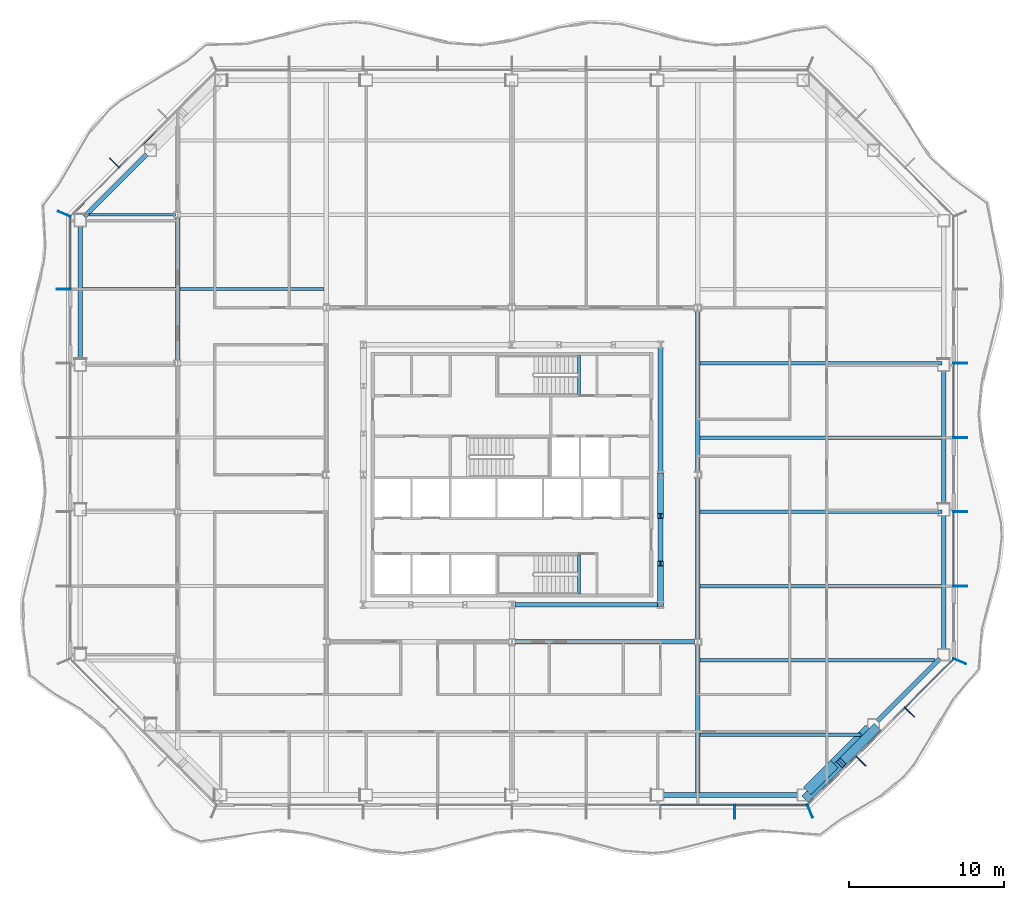
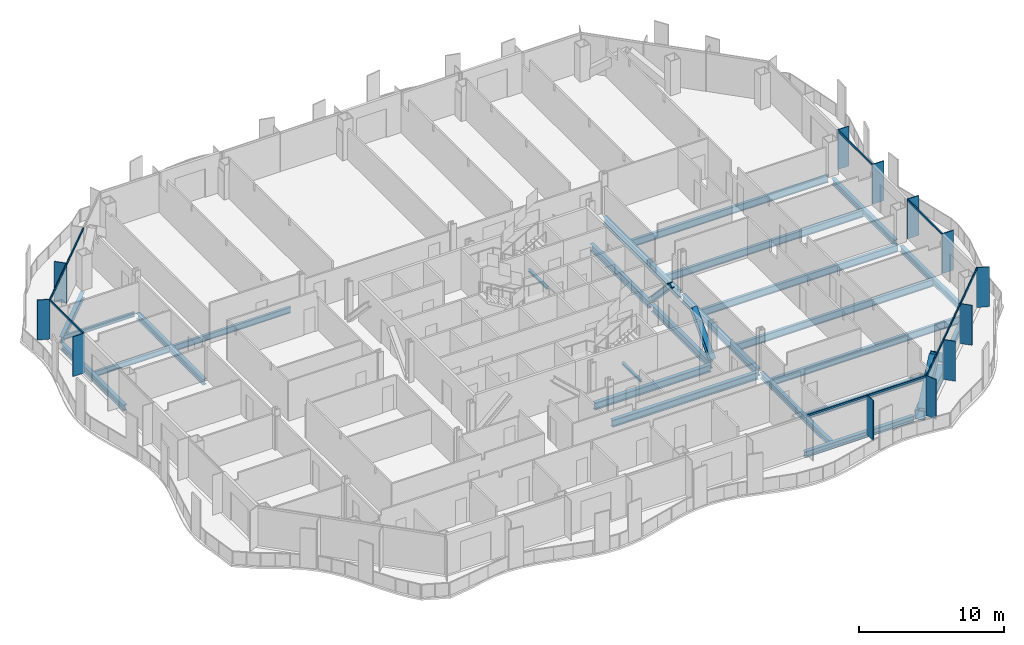
# One storey, part 4 of 23: 27 beams, 26 members, 5 elements without a shape of their own.
"""IFC4 building model written with IfcOpenShell, lengths in metres."""

from ifc_helpers import new_model, si_unit, direction, frame, origin, origin_2d, place, context, subcontext, project, spatial, rectangle, hollow_rectangle, i_section, extrude, material, material_profile, profile_set, type_object, element, aggregate, save


model = new_model("IFC4")

# Units and contexts
model_context = context("Model", 3, precision=1e-05, world=origin(), true_north=direction((0.0, 1.0)))
body_context = subcontext(model_context, "Body", "Model", "MODEL_VIEW")
ifc_project = project(units=[si_unit("LENGTHUNIT", "METRE"), si_unit("AREAUNIT", "SQUARE_METRE"), si_unit("VOLUMEUNIT", "CUBIC_METRE"), si_unit("PLANEANGLEUNIT", "RADIAN"), si_unit("MASSUNIT", "GRAM", prefix="KILO")], contexts=[model_context])

# Site, building, storey
site_placement = place(None, origin())
site = spatial("IfcSite", under=ifc_project, at=site_placement, CompositionType="ELEMENT")
building_placement = place(site_placement, origin())
building = spatial("IfcBuilding", under=site, at=building_placement, Name="Cairn Pilgrim Tower", CompositionType="ELEMENT")
storey_placement = place(building_placement, frame((0.0, 0.0, 115.800048828125)))
storey = spatial("IfcBuildingStorey", under=building, at=storey_placement, Name="L28", CompositionType="ELEMENT", Elevation=115.800048828125)

# Members
ifc_material_1 = material(Name="Structural steel S460M", Category="steel")
ifc_material_profile_1 = material_profile(ifc_material_1, hollow_rectangle(XDim=0.60009765625, YDim=0.60009765625, WallThickness=0.034912109375, at=origin_2d()), Name="BOX 600x600x35")
ifc_profile_set_1 = profile_set([ifc_material_profile_1], Name="Structural steel S460M")
member_type_1 = type_object("IfcMemberType", Name="BOX 600x600x35 BRACE", PredefinedType="BRACE", material=ifc_profile_set_1)
member_1_placement = place(storey_placement, frame((26.271240234375, -18.430908203125, 0.14990234375), z_axis=(0.558054672489, 0.558116227162, 0.614069425628), x_axis=(-0.707145775687, 0.707067784535, 0.0)))
element("IfcMember", 1, at=member_1_placement, inside=storey, type_object=member_type_1, Name="XB-SE1-SE2-1", PredefinedType="BRACE", context=body_context, shape_type="SweptSolid", body=[
    extrude(hollow_rectangle(XDim=0.60009765625, YDim=0.60009765625, WallThickness=0.034912109375, at=origin_2d()), origin(), (0.0, 0.0, 1.0), 3.96630859375),
])
member_2_placement = place(storey_placement, frame((30.6943359375, -14.007568359375, 0.14990234375), z_axis=(-0.558073844199, -0.558073844199, 0.6140905217), x_axis=(0.707106781187, -0.707106781187, 0.0)))
element("IfcMember", 2, at=member_2_placement, inside=storey, type_object=member_type_1, Name="XB-SE1-SE2-2", PredefinedType="BRACE", context=body_context, shape_type="SweptSolid", body=[
    extrude(hollow_rectangle(XDim=0.60009765625, YDim=0.60009765625, WallThickness=0.034912109375, at=origin_2d()), origin(), (0.0, 0.0, 1.0), 3.966064453125),
])

# Beams
ifc_material_2 = material(Name="Structural steel S355J2", Category="steel")
ifc_material_profile_2 = material_profile(ifc_material_2, hollow_rectangle(XDim=0.699951171875, YDim=0.800048828125, WallThickness=0.0400390625, at=origin_2d()), Name="BOX 700x800x40")
ifc_profile_set_2 = profile_set([ifc_material_profile_2], Name="Structural steel S355J2")
beam_type_1 = type_object("IfcBeamType", Name="BOX 700x800x40 RING GIRDER", PredefinedType="SPANDREL", material=ifc_profile_set_2)
beam_1_placement = place(storey_placement, frame((26.28173828125, -18.04541015625, -0.550048828125), z_axis=(0.707106781187, 0.707106781187, 0.0), x_axis=(-0.707106781187, 0.707106781187, 0.0)))
element("IfcBeam", 3, at=beam_1_placement, inside=storey, type_object=beam_type_1, Name="RG1-SE1-SE2-1", PredefinedType="SPANDREL", context=body_context, shape_type="SweptSolid", body=[
    extrude(hollow_rectangle(XDim=0.699951171875, YDim=0.800048828125, WallThickness=0.0400390625, at=origin_2d()), origin(), (0.0, 0.0, 1.0), 2.469970703125),
])
beam_2_placement = place(storey_placement, frame((28.0283203125, -16.298828125, -0.550048828125), z_axis=(0.707144627777, 0.70706893257, 0.0), x_axis=(-0.70706893257, 0.707144627777, 0.0)))
element("IfcBeam", 4, at=beam_2_placement, inside=storey, type_object=beam_type_1, Name="RG1-SE1-SE2-2", PredefinedType="SPANDREL", context=body_context, shape_type="SweptSolid", body=[
    extrude(hollow_rectangle(XDim=0.699951171875, YDim=0.800048828125, WallThickness=0.0400390625, at=origin_2d()), origin(), (0.0, 0.0, 1.0), 3.225341796875),
])

# Curtain wall, member
ifc_material_3 = material(Name="Aluminium alloy 6063-T6 bronze anodised with Bronze tinted laminated low-E glass 8+16+8.8", Category="aluminium")
curtain_wall_type_1 = type_object("IfcCurtainWallType", Name="TOWER STICK CURTAIN WALL NS", PredefinedType="NOTDEFINED", material=ifc_material_3)
curtain_wall_1_placement = place(storey_placement, origin())
curtain_wall_1 = element("IfcCurtainWall", 5, at=curtain_wall_1_placement, inside=storey, type_object=curtain_wall_type_1, Name="Tower Stick Curtain Wall Ns S", PredefinedType="NOTDEFINED")
ifc_material_4 = material(Name="Aluminium alloy 6063-T6 bronze anodised", Category="aluminium")
ifc_material_profile_3 = material_profile(ifc_material_4, rectangle(XDim=0.89990234375, YDim=0.06005859375, at=origin_2d()), Name="FIN MULLION 60x900 BRONZE")
ifc_profile_set_3 = profile_set([ifc_material_profile_3], Name="Aluminium alloy 6063-T6 bronze anodised")
member_type_2 = type_object("IfcMemberType", Name="FIN MULLION 60x900 BRONZE", PredefinedType="MULLION", material=ifc_profile_set_3)
member_3_placement = place(storey_placement, frame((21.60009765625, -19.3701171875, 0.0), z_axis=(0.0, 0.0, 1.0), x_axis=(0.0, -1.0, 0.0)))
member_3 = element("IfcMember", 6, at=member_3_placement, type_object=member_type_2, Name="Fin mullion S8", PredefinedType="MULLION", context=body_context, shape_type="SweptSolid", body=[
    extrude(rectangle(XDim=0.89990234375, YDim=0.06005859375, at=origin_2d()), origin(), (0.0, 0.0, 1.0), 3.349853515625),
])

# Curtain wall, members
curtain_wall_type_2 = type_object("IfcCurtainWallType", Name="CHAMFER CORNER CURTAIN WALL", PredefinedType="NOTDEFINED", material=ifc_material_3)
curtain_wall_2_placement = place(storey_placement, origin())
curtain_wall_2 = element("IfcCurtainWall", 7, at=curtain_wall_2_placement, inside=storey, type_object=curtain_wall_type_2, Name="Chamfer Corner Curtain Wall SE", PredefinedType="NOTDEFINED")
member_4_placement = place(storey_placement, frame((26.457275390625, -19.338134765625, 0.0), z_axis=(0.0, 0.0, 1.0), x_axis=(0.382683432365, -0.923879532511, 0.0)))
member_4 = element("IfcMember", 8, at=member_4_placement, type_object=member_type_2, Name="Fin mullion SE1", PredefinedType="MULLION", context=body_context, shape_type="SweptSolid", body=[
    extrude(rectangle(XDim=0.89990234375, YDim=0.06005859375, at=origin_2d()), origin(), (0.0, 0.0, 1.0), 3.349853515625),
])
member_5_placement = place(storey_placement, frame((29.74462890625, -16.095703125, 0.0), z_axis=(0.0, 0.0, 1.0), x_axis=(0.707106781187, -0.707106781187, 0.0)))
member_5 = element("IfcMember", 9, at=member_5_placement, type_object=member_type_2, Name="Fin mullion SE2", PredefinedType="MULLION", context=body_context, shape_type="SweptSolid", body=[
    extrude(rectangle(XDim=0.89990234375, YDim=0.06005859375, at=origin_2d()), origin(), (0.0, 0.0, 1.0), 3.349853515625),
])
member_6_placement = place(storey_placement, frame((32.895751953125, -12.944580078125, 0.0), z_axis=(0.0, 0.0, 1.0), x_axis=(0.707106781187, -0.707106781187, 0.0)))
member_6 = element("IfcMember", 10, at=member_6_placement, type_object=member_type_2, Name="Fin mullion SE3", PredefinedType="MULLION", context=body_context, shape_type="SweptSolid", body=[
    extrude(rectangle(XDim=0.89990234375, YDim=0.06005859375, at=origin_2d()), origin(), (0.0, 0.0, 1.0), 3.349853515625),
])

curtain_wall_type_3 = type_object("IfcCurtainWallType", Name="TOWER STICK CURTAIN WALL EW", PredefinedType="NOTDEFINED", material=ifc_material_3)
curtain_wall_3_placement = place(storey_placement, origin())
curtain_wall_3 = element("IfcCurtainWall", 11, at=curtain_wall_3_placement, inside=storey, type_object=curtain_wall_type_3, Name="Tower Stick Curtain Wall Ew E", PredefinedType="NOTDEFINED")
member_7_placement = place(storey_placement, frame((36.137939453125, -9.6572265625, 0.0), z_axis=(0.0, 0.0, 1.0), x_axis=(0.923879532511, -0.382683432365, 0.0)))
member_7 = element("IfcMember", 12, at=member_7_placement, type_object=member_type_2, Name="Fin mullion E1", PredefinedType="MULLION", context=body_context, shape_type="SweptSolid", body=[
    extrude(rectangle(XDim=0.89990234375, YDim=0.06005859375, at=origin_2d()), origin(), (0.0, 0.0, 1.0), 3.349853515625),
])
member_8_placement = place(storey_placement, frame((36.169921875, -4.800048828125, 0.0), z_axis=(0.0, 0.0, 1.0), x_axis=(1.0, 0.0, 0.0)))
member_8 = element("IfcMember", 13, at=member_8_placement, type_object=member_type_2, Name="Fin mullion E2", PredefinedType="MULLION", context=body_context, shape_type="SweptSolid", body=[
    extrude(rectangle(XDim=0.89990234375, YDim=0.06005859375, at=origin_2d()), origin(), (0.0, 0.0, 1.0), 3.349853515625),
])
member_9_placement = place(storey_placement, frame((36.169921875, 0.0, 0.0), z_axis=(0.0, 0.0, 1.0), x_axis=(1.0, 0.0, 0.0)))
member_9 = element("IfcMember", 14, at=member_9_placement, type_object=member_type_2, Name="Fin mullion E3", PredefinedType="MULLION", context=body_context, shape_type="SweptSolid", body=[
    extrude(rectangle(XDim=0.89990234375, YDim=0.06005859375, at=origin_2d()), origin(), (0.0, 0.0, 1.0), 3.349853515625),
])
member_10_placement = place(storey_placement, frame((36.169921875, 4.800048828125, 0.0), z_axis=(0.0, 0.0, 1.0), x_axis=(1.0, 0.0, 0.0)))
member_10 = element("IfcMember", 15, at=member_10_placement, type_object=member_type_2, Name="Fin mullion E4", PredefinedType="MULLION", context=body_context, shape_type="SweptSolid", body=[
    extrude(rectangle(XDim=0.89990234375, YDim=0.06005859375, at=origin_2d()), origin(), (0.0, 0.0, 1.0), 3.349853515625),
])
member_11_placement = place(storey_placement, frame((36.169921875, 9.60009765625, 0.0), z_axis=(0.0, 0.0, 1.0), x_axis=(1.0, 0.0, 0.0)))
member_11 = element("IfcMember", 16, at=member_11_placement, type_object=member_type_2, Name="Fin mullion E5", PredefinedType="MULLION", context=body_context, shape_type="SweptSolid", body=[
    extrude(rectangle(XDim=0.89990234375, YDim=0.06005859375, at=origin_2d()), origin(), (0.0, 0.0, 1.0), 3.349853515625),
])

# Curtain wall, member
curtain_wall_4_placement = place(storey_placement, origin())
curtain_wall_4 = element("IfcCurtainWall", 17, at=curtain_wall_4_placement, inside=storey, type_object=curtain_wall_type_2, Name="Chamfer Corner Curtain Wall NW", PredefinedType="NOTDEFINED")
member_12_placement = place(storey_placement, frame((-18.495849609375, 22.544677734375, 0.0), z_axis=(0.0, 0.0, 1.0), x_axis=(-0.707106781187, 0.707106781187, 0.0)))
member_12 = element("IfcMember", 18, at=member_12_placement, type_object=member_type_2, Name="Fin mullion NW3", PredefinedType="MULLION", context=body_context, shape_type="SweptSolid", body=[
    extrude(rectangle(XDim=0.89990234375, YDim=0.06005859375, at=origin_2d()), origin(), (0.0, 0.0, 1.0), 3.349853515625),
])

# Curtain wall, members
curtain_wall_5_placement = place(storey_placement, origin())
curtain_wall_5 = element("IfcCurtainWall", 19, at=curtain_wall_5_placement, inside=storey, type_object=curtain_wall_type_3, Name="Tower Stick Curtain Wall Ew W", PredefinedType="NOTDEFINED")
member_13_placement = place(storey_placement, frame((-21.738037109375, 19.257080078125, 0.0), z_axis=(0.0, 0.0, 1.0), x_axis=(-0.923879532511, 0.382683432365, 0.0)))
member_13 = element("IfcMember", 20, at=member_13_placement, type_object=member_type_2, Name="Fin mullion W1", PredefinedType="MULLION", context=body_context, shape_type="SweptSolid", body=[
    extrude(rectangle(XDim=0.89990234375, YDim=0.06005859375, at=origin_2d()), origin(), (0.0, 0.0, 1.0), 3.349853515625),
])
member_14_placement = place(storey_placement, frame((-21.77001953125, 14.39990234375, 0.0), z_axis=(0.0, 0.0, 1.0), x_axis=(-1.0, 0.0, 0.0)))
member_14 = element("IfcMember", 21, at=member_14_placement, type_object=member_type_2, Name="Fin mullion W2", PredefinedType="MULLION", context=body_context, shape_type="SweptSolid", body=[
    extrude(rectangle(XDim=0.89990234375, YDim=0.06005859375, at=origin_2d()), origin(), (0.0, 0.0, 1.0), 3.349853515625),
])

# Members
ifc_material_profile_4 = material_profile(ifc_material_1, i_section(OverallWidth=0.408935546875, OverallDepth=0.425048828125, WebThickness=0.03271484375, FlangeThickness=0.052490234375, FilletRadius=0.014892578125, at=origin_2d()), Name="HD 400x421")
ifc_profile_set_4 = profile_set([ifc_material_profile_4], Name="Structural steel S460M")
member_type_3 = type_object("IfcMemberType", Name="HD 400x421 BRACE", PredefinedType="BRACE", material=ifc_profile_set_4)
member_15_placement = place(storey_placement, frame((16.800048828125, -5.95751953125, 0.099853515625), z_axis=(0.0, 0.682914137035, 0.730498652592), x_axis=(-1.0, 0.0, 0.0)))
element("IfcMember", 22, at=member_15_placement, inside=storey, type_object=member_type_3, Name="KB-2A", PredefinedType="BRACE", context=body_context, shape_type="SweptSolid", body=[
    extrude(i_section(OverallWidth=0.408935546875, OverallDepth=0.425048828125, WebThickness=0.03271484375, FlangeThickness=0.052490234375, FilletRadius=0.014892578125, at=origin_2d()), origin(), (0.0, 0.0, 1.0), 3.837646484375),
])
member_16_placement = place(storey_placement, frame((16.800048828125, 2.357666015625, 0.099853515625), z_axis=(0.0, -0.682948081939, 0.730466917372), x_axis=(1.0, 0.0, 0.0)))
element("IfcMember", 23, at=member_16_placement, inside=storey, type_object=member_type_3, Name="KB-2B", PredefinedType="BRACE", context=body_context, shape_type="SweptSolid", body=[
    extrude(i_section(OverallWidth=0.408935546875, OverallDepth=0.425048828125, WebThickness=0.03271484375, FlangeThickness=0.052490234375, FilletRadius=0.014892578125, at=origin_2d()), origin(), (0.0, 0.0, 1.0), 3.837890625),
])

# Beams
ifc_material_profile_5 = material_profile(ifc_material_2, i_section(OverallWidth=0.300048828125, OverallDepth=0.5, WebThickness=0.014404296875, FlangeThickness=0.028076171875, FilletRadius=0.027099609375, at=origin_2d()), Name="HEB 500")
ifc_profile_set_5 = profile_set([ifc_material_profile_5], Name="Structural steel S355J2")
beam_type_2 = type_object("IfcBeamType", Name="HEB 500 GIRDER", PredefinedType="BEAM", material=ifc_profile_set_5)
beam_3_placement = place(storey_placement, frame((-14.39990234375, 9.799560546875, -0.400146484375), z_axis=(0.0, 1.0, 0.0), x_axis=(-1.0, 0.0, 0.0)))
element("IfcBeam", 24, at=beam_3_placement, inside=storey, type_object=beam_type_2, Name="PG1-4", PredefinedType="BEAM", context=body_context, shape_type="SweptSolid", body=[
    extrude(i_section(OverallWidth=0.300048828125, OverallDepth=0.5, WebThickness=0.014404296875, FlangeThickness=0.028076171875, FilletRadius=0.027099609375, at=origin_2d()), origin(), (0.0, 0.0, 1.0), 9.200927734375),
])
beam_4_placement = place(storey_placement, frame((19.199951171875, -18.179931640625, -0.400146484375), z_axis=(0.0, 1.0, 0.0), x_axis=(-1.0, 0.0, 0.0)))
element("IfcBeam", 25, at=beam_4_placement, inside=storey, type_object=beam_type_2, Name="PG4-1", PredefinedType="BEAM", context=body_context, shape_type="SweptSolid", body=[
    extrude(i_section(OverallWidth=0.300048828125, OverallDepth=0.5, WebThickness=0.014404296875, FlangeThickness=0.028076171875, FilletRadius=0.027099609375, at=origin_2d()), origin(), (0.0, 0.0, 1.0), 9.575439453125),
])
ifc_material_profile_6 = material_profile(ifc_material_2, i_section(OverallWidth=0.300048828125, OverallDepth=0.5, WebThickness=0.014404296875, FlangeThickness=0.028076171875, FilletRadius=0.027099609375, at=origin_2d()), Name="HEB 500")
ifc_profile_set_6 = profile_set([ifc_material_profile_6], Name="Structural steel S355J2")
beam_type_3 = type_object("IfcBeamType", Name="HEB 500 RING GIRDER", PredefinedType="SPANDREL", material=ifc_profile_set_6)
beam_5_placement = place(storey_placement, frame((16.9736328125, -18.300048828125, -0.400146484375), z_axis=(1.0, 0.0, 0.0), x_axis=(0.0, 1.0, 0.0)))
element("IfcBeam", 26, at=beam_5_placement, inside=storey, type_object=beam_type_3, Name="RG1-S4-SE1", PredefinedType="SPANDREL", context=body_context, shape_type="SweptSolid", body=[
    extrude(i_section(OverallWidth=0.300048828125, OverallDepth=0.5, WebThickness=0.014404296875, FlangeThickness=0.028076171875, FilletRadius=0.027099609375, at=origin_2d()), origin(), (0.0, 0.0, 1.0), 8.693603515625),
])
beam_6_placement = place(storey_placement, frame((30.818115234375, -13.509033203125, -0.400146484375), z_axis=(0.707106781187, 0.707106781187, 0.0), x_axis=(-0.707106781187, 0.707106781187, 0.0)))
element("IfcBeam", 27, at=beam_6_placement, inside=storey, type_object=beam_type_3, Name="RG1-SE2-E1", PredefinedType="SPANDREL", context=body_context, shape_type="SweptSolid", body=[
    extrude(i_section(OverallWidth=0.300048828125, OverallDepth=0.5, WebThickness=0.014404296875, FlangeThickness=0.028076171875, FilletRadius=0.027099609375, at=origin_2d()), origin(), (0.0, 0.0, 1.0), 5.695556640625),
])
beam_7_placement = place(storey_placement, frame((35.10009765625, -8.8671875, -0.400146484375), z_axis=(0.0, 1.0, 0.0), x_axis=(-1.0, 0.0, 0.0)))
element("IfcBeam", 28, at=beam_7_placement, inside=storey, type_object=beam_type_3, Name="RG1-E1-E2", PredefinedType="SPANDREL", context=body_context, shape_type="SweptSolid", body=[
    extrude(i_section(OverallWidth=0.300048828125, OverallDepth=0.5, WebThickness=0.014404296875, FlangeThickness=0.028076171875, FilletRadius=0.027099609375, at=origin_2d()), origin(), (0.0, 0.0, 1.0), 8.631591796875),
])
beam_8_placement = place(storey_placement, frame((35.10009765625, 0.484375, -0.400146484375), z_axis=(0.0, 1.0, 0.0), x_axis=(-1.0, 0.0, 0.0)))
element("IfcBeam", 29, at=beam_8_placement, inside=storey, type_object=beam_type_3, Name="RG1-E2-E3", PredefinedType="SPANDREL", context=body_context, shape_type="SweptSolid", body=[
    extrude(i_section(OverallWidth=0.300048828125, OverallDepth=0.5, WebThickness=0.014404296875, FlangeThickness=0.028076171875, FilletRadius=0.027099609375, at=origin_2d()), origin(), (0.0, 0.0, 1.0), 8.63134765625),
])
beam_9_placement = place(storey_placement, frame((-16.418212890625, 23.10888671875, -0.400146484375), z_axis=(-0.707106781187, -0.707106781187, 0.0), x_axis=(0.707106781187, -0.707106781187, 0.0)))
element("IfcBeam", 30, at=beam_9_placement, inside=storey, type_object=beam_type_3, Name="RG1-NW2-W1", PredefinedType="SPANDREL", context=body_context, shape_type="SweptSolid", body=[
    extrude(i_section(OverallWidth=0.300048828125, OverallDepth=0.5, WebThickness=0.014404296875, FlangeThickness=0.028076171875, FilletRadius=0.027099609375, at=origin_2d()), origin(), (0.0, 0.0, 1.0), 5.695068359375),
])
beam_10_placement = place(storey_placement, frame((-20.699951171875, 18.46728515625, -0.400146484375), z_axis=(0.0, -1.0, 0.0), x_axis=(1.0, 0.0, 0.0)))
element("IfcBeam", 31, at=beam_10_placement, inside=storey, type_object=beam_type_3, Name="RG1-W1-W2", PredefinedType="SPANDREL", context=body_context, shape_type="SweptSolid", body=[
    extrude(i_section(OverallWidth=0.300048828125, OverallDepth=0.5, WebThickness=0.014404296875, FlangeThickness=0.028076171875, FilletRadius=0.027099609375, at=origin_2d()), origin(), (0.0, 0.0, 1.0), 8.631591796875),
])
ifc_material_profile_7 = material_profile(ifc_material_2, i_section(OverallWidth=0.300048828125, OverallDepth=0.60009765625, WebThickness=0.015380859375, FlangeThickness=0.030029296875, FilletRadius=0.027099609375, at=origin_2d()), Name="HEB 600")
ifc_profile_set_7 = profile_set([ifc_material_profile_7], Name="Structural steel S355J2")
beam_type_4 = type_object("IfcBeamType", Name="HEB 600 CORE BEAM", PredefinedType="BEAM", material=ifc_profile_set_7)
beam_11_placement = place(storey_placement, frame((7.390869140625, -6.0, -0.449951171875), z_axis=(1.0, 0.0, 0.0), x_axis=(0.0, 1.0, 0.0)))
element("IfcBeam", 32, at=beam_11_placement, inside=storey, type_object=beam_type_4, Name="CB-2", PredefinedType="BEAM", context=body_context, shape_type="SweptSolid", body=[
    extrude(i_section(OverallWidth=0.300048828125, OverallDepth=0.60009765625, WebThickness=0.015380859375, FlangeThickness=0.030029296875, FilletRadius=0.027099609375, at=origin_2d()), origin(), (0.0, 0.0, 1.0), 9.21826171875),
])
for number, where, z_axis, x_axis, name in (
    (33, (16.800048828125, -5.80908203125, -0.449951171875), (0.0, 1.0, 0.0), (-1.0, 0.0, 0.0), "CB-3"),
    (34, (16.800048828125, 2.5908203125, -0.449951171875), (0.0, 1.0, 0.0), (-1.0, 0.0, 0.0), "CB-4"),
):
    element("IfcBeam", number, at=place(storey_placement, frame(where, z_axis=z_axis, x_axis=x_axis)), inside=storey, type_object=beam_type_4, Name=name, PredefinedType="BEAM", context=body_context, shape_type="SweptSolid", body=[
        extrude(i_section(OverallWidth=0.300048828125, OverallDepth=0.60009765625, WebThickness=0.015380859375, FlangeThickness=0.030029296875, FilletRadius=0.027099609375, at=origin_2d()), origin(), (0.0, 0.0, 1.0), 8.018310546875),
    ])
ifc_material_profile_8 = material_profile(ifc_material_2, i_section(OverallWidth=0.300048828125, OverallDepth=0.60009765625, WebThickness=0.015380859375, FlangeThickness=0.030029296875, FilletRadius=0.027099609375, at=origin_2d()), Name="HEB 600")
ifc_profile_set_8 = profile_set([ifc_material_profile_8], Name="Structural steel S355J2")
beam_type_5 = type_object("IfcBeamType", Name="HEB 600 GIRDER", PredefinedType="BEAM", material=ifc_profile_set_8)
for number, where, z_axis, x_axis, name in (
    (35, (19.199951171875, -8.195556640625, -0.449951171875), (0.0, 1.0, 0.0), (-1.0, 0.0, 0.0), "PG4-2"),
    (36, (19.199951171875, 2.6044921875, -0.449951171875), (0.0, 1.0, 0.0), (-1.0, 0.0, 0.0), "PG4-3"),
):
    element("IfcBeam", number, at=place(storey_placement, frame(where, z_axis=z_axis, x_axis=x_axis)), inside=storey, type_object=beam_type_5, Name=name, PredefinedType="BEAM", context=body_context, shape_type="SweptSolid", body=[
        extrude(i_section(OverallWidth=0.300048828125, OverallDepth=0.60009765625, WebThickness=0.015380859375, FlangeThickness=0.030029296875, FilletRadius=0.027099609375, at=origin_2d()), origin(), (0.0, 0.0, 1.0), 10.39111328125),
    ])
ifc_material_profile_9 = material_profile(ifc_material_2, i_section(OverallWidth=0.300048828125, OverallDepth=0.60009765625, WebThickness=0.015380859375, FlangeThickness=0.030029296875, FilletRadius=0.027099609375, at=origin_2d()), Name="HEB 600")
ifc_profile_set_9 = profile_set([ifc_material_profile_9], Name="Structural steel S355J2")
beam_type_6 = type_object("IfcBeamType", Name="HEB 600 INNER GIRDER", PredefinedType="BEAM", material=ifc_profile_set_9)
beam_12_placement = place(storey_placement, frame((7.404541015625, -8.39990234375, -0.449951171875), z_axis=(1.0, 0.0, 0.0), x_axis=(0.0, 1.0, 0.0)))
element("IfcBeam", 37, at=beam_12_placement, inside=storey, type_object=beam_type_6, Name="IG1-2", PredefinedType="BEAM", context=body_context, shape_type="SweptSolid", body=[
    extrude(i_section(OverallWidth=0.300048828125, OverallDepth=0.60009765625, WebThickness=0.015380859375, FlangeThickness=0.030029296875, FilletRadius=0.027099609375, at=origin_2d()), origin(), (0.0, 0.0, 1.0), 11.591064453125),
])
ifc_material_profile_10 = material_profile(ifc_material_2, i_section(OverallWidth=0.169921875, OverallDepth=0.360107421875, WebThickness=0.008056640625, FlangeThickness=0.0126953125, FilletRadius=0.01806640625, at=origin_2d()), Name="IPE 360")
ifc_profile_set_10 = profile_set([ifc_material_profile_10], Name="Structural steel S355J2")
beam_type_7 = type_object("IfcBeamType", Name="IPE 360 SECONDARY BEAM", PredefinedType="JOIST", material=ifc_profile_set_10)
beam_13_placement = place(storey_placement, frame((-20.14501953125, 19.199951171875, -0.330078125), z_axis=(1.0, 0.0, 0.0), x_axis=(0.0, 1.0, 0.0)))
element("IfcBeam", 38, at=beam_13_placement, inside=storey, type_object=beam_type_7, Name="SB8-1", PredefinedType="JOIST", context=body_context, shape_type="SweptSolid", body=[
    extrude(i_section(OverallWidth=0.169921875, OverallDepth=0.360107421875, WebThickness=0.008056640625, FlangeThickness=0.0126953125, FilletRadius=0.01806640625, at=origin_2d()), origin(), (0.0, 0.0, 1.0), 5.594970703125),
])
ifc_material_profile_11 = material_profile(ifc_material_2, i_section(OverallWidth=0.18994140625, OverallDepth=0.449951171875, WebThickness=0.009521484375, FlangeThickness=0.0146484375, FilletRadius=0.02099609375, at=origin_2d()), Name="IPE 450")
ifc_profile_set_11 = profile_set([ifc_material_profile_11], Name="Structural steel S355J2")
beam_type_8 = type_object("IfcBeamType", Name="IPE 450 SECONDARY BEAM", PredefinedType="JOIST", material=ifc_profile_set_11)
beam_14_placement = place(storey_placement, frame((-20.580078125, 14.39990234375, -0.375), z_axis=(1.0, 0.0, 0.0), x_axis=(0.0, 1.0, 0.0)))
element("IfcBeam", 39, at=beam_14_placement, inside=storey, type_object=beam_type_8, Name="SB7-1", PredefinedType="JOIST", context=body_context, shape_type="SweptSolid", body=[
    extrude(i_section(OverallWidth=0.18994140625, OverallDepth=0.449951171875, WebThickness=0.009521484375, FlangeThickness=0.0146484375, FilletRadius=0.02099609375, at=origin_2d()), origin(), (0.0, 0.0, 1.0), 6.030029296875),
])
ifc_material_profile_12 = material_profile(ifc_material_2, i_section(OverallWidth=0.199951171875, OverallDepth=0.5, WebThickness=0.01025390625, FlangeThickness=0.01611328125, FilletRadius=0.02099609375, at=origin_2d()), Name="IPE 500")
ifc_profile_set_12 = profile_set([ifc_material_profile_12], Name="Structural steel S355J2")
beam_type_9 = type_object("IfcBeamType", Name="IPE 500 SECONDARY BEAM", PredefinedType="JOIST", material=ifc_profile_set_12)
beam_15_placement = place(storey_placement, frame((19.35009765625, -14.39990234375, -0.400146484375), z_axis=(1.0, 0.0, 0.0), x_axis=(0.0, 1.0, 0.0)))
element("IfcBeam", 40, at=beam_15_placement, inside=storey, type_object=beam_type_9, Name="SB1-4", PredefinedType="JOIST", context=body_context, shape_type="SweptSolid", body=[
    extrude(i_section(OverallWidth=0.199951171875, OverallDepth=0.5, WebThickness=0.01025390625, FlangeThickness=0.01611328125, FilletRadius=0.02099609375, at=origin_2d()), origin(), (0.0, 0.0, 1.0), 10.39501953125),
])
beam_16_placement = place(storey_placement, frame((-14.25, 14.39990234375, -0.400146484375), z_axis=(1.0, 0.0, 0.0), x_axis=(0.0, 1.0, 0.0)))
element("IfcBeam", 41, at=beam_16_placement, inside=storey, type_object=beam_type_9, Name="SB7-2", PredefinedType="JOIST", context=body_context, shape_type="SweptSolid", body=[
    extrude(i_section(OverallWidth=0.199951171875, OverallDepth=0.5, WebThickness=0.01025390625, FlangeThickness=0.01611328125, FilletRadius=0.02099609375, at=origin_2d()), origin(), (0.0, 0.0, 1.0), 9.300048828125),
])
ifc_material_profile_13 = material_profile(ifc_material_2, i_section(OverallWidth=0.219970703125, OverallDepth=0.60009765625, WebThickness=0.011962890625, FlangeThickness=0.01904296875, FilletRadius=0.02392578125, at=origin_2d()), Name="IPE 600")
ifc_profile_set_13 = profile_set([ifc_material_profile_13], Name="Structural steel S355J2")
beam_type_10 = type_object("IfcBeamType", Name="IPE 600 SECONDARY BEAM", PredefinedType="JOIST", material=ifc_profile_set_13)
beam_17_placement = place(storey_placement, frame((19.35009765625, -9.60009765625, -0.449951171875), z_axis=(1.0, 0.0, 0.0), x_axis=(0.0, 1.0, 0.0)))
element("IfcBeam", 42, at=beam_17_placement, inside=storey, type_object=beam_type_10, Name="SB2-3", PredefinedType="JOIST", context=body_context, shape_type="SweptSolid", body=[
    extrude(i_section(OverallWidth=0.219970703125, OverallDepth=0.60009765625, WebThickness=0.011962890625, FlangeThickness=0.01904296875, FilletRadius=0.02392578125, at=origin_2d()), origin(), (0.0, 0.0, 1.0), 15.195068359375),
])
for number, where, z_axis, x_axis, name in (
    (43, (19.35009765625, -4.800048828125, -0.449951171875), (1.0, 0.0, 0.0), (0.0, 1.0, 0.0), "SB3-3"),
    (44, (19.35009765625, 0.0, -0.449951171875), (1.0, 0.0, 0.0), (0.0, 1.0, 0.0), "SB4-3"),
    (45, (19.35009765625, 4.800048828125, -0.449951171875), (1.0, 0.0, 0.0), (0.0, 1.0, 0.0), "SB5-3"),
    (46, (19.35009765625, 9.60009765625, -0.449951171875), (1.0, 0.0, 0.0), (0.0, 1.0, 0.0), "SB6-3"),
):
    element("IfcBeam", number, at=place(storey_placement, frame(where, z_axis=z_axis, x_axis=x_axis)), inside=storey, type_object=beam_type_10, Name=name, PredefinedType="JOIST", context=body_context, shape_type="SweptSolid", body=[
        extrude(i_section(OverallWidth=0.219970703125, OverallDepth=0.60009765625, WebThickness=0.011962890625, FlangeThickness=0.01904296875, FilletRadius=0.02392578125, at=origin_2d()), origin(), (0.0, 0.0, 1.0), 15.6298828125),
    ])
ifc_material_profile_14 = material_profile(ifc_material_2, i_section(OverallWidth=0.199951171875, OverallDepth=0.199951171875, WebThickness=0.009033203125, FlangeThickness=0.014892578125, FilletRadius=0.01806640625, at=origin_2d()), Name="HE 200 B")
ifc_profile_set_14 = profile_set([ifc_material_profile_14], Name="Structural steel S355J2")
beam_type_11 = type_object("IfcBeamType", Name="STAIR LANDING BEAM HE 200 B", PredefinedType="BEAM", material=ifc_profile_set_14)
for number, where, z_axis, x_axis, name in (
    (47, (11.5244140625, -2.77490234375, -0.25), (0.0, -1.0, 0.0), (1.0, 0.0, 0.0), "STAIR LANDING BEAM LD-HE200B"),
    (48, (11.5244140625, 10.10009765625, -0.25), (0.0, -1.0, 0.0), (1.0, 0.0, 0.0), "STAIR LANDING BEAM LD-HE200B"),
):
    element("IfcBeam", number, at=place(storey_placement, frame(where, z_axis=z_axis, x_axis=x_axis)), inside=storey, type_object=beam_type_11, Name=name, PredefinedType="BEAM", context=body_context, shape_type="SweptSolid", body=[
        extrude(i_section(OverallWidth=0.199951171875, OverallDepth=0.199951171875, WebThickness=0.009033203125, FlangeThickness=0.014892578125, FilletRadius=0.01806640625, at=origin_2d()), origin(), (0.0, 0.0, 1.0), 2.525146484375),
    ])

# Member
ifc_material_profile_15 = material_profile(ifc_material_4, rectangle(XDim=0.080078125, YDim=0.14990234375, at=origin_2d()), Name="TRANSOM 80x150 BRONZE")
ifc_profile_set_15 = profile_set([ifc_material_profile_15], Name="Aluminium alloy 6063-T6 bronze anodised")
member_type_4 = type_object("IfcMemberType", Name="TRANSOM 80x150 BRONZE", PredefinedType="USERDEFINED", material=ifc_profile_set_15)
member_17_placement = place(storey_placement, frame((16.830078125, -18.949951171875, 3.27490234375), z_axis=(1.0, 0.0, 0.0), x_axis=(0.0, 1.0, 0.0)))
member_17 = element("IfcMember", 49, at=member_17_placement, type_object=member_type_4, Name="Transom S7", ObjectType="TRANSOM", PredefinedType="USERDEFINED", context=body_context, shape_type="SweptSolid", body=[
    extrude(rectangle(XDim=0.080078125, YDim=0.14990234375, at=origin_2d()), origin(), (0.0, 0.0, 1.0), 4.739990234375),
])

member_18_placement = place(storey_placement, frame((21.6298828125, -18.949951171875, 3.27490234375), z_axis=(1.0, 0.0, 0.0), x_axis=(0.0, 1.0, 0.0)))
member_18 = element("IfcMember", 50, at=member_18_placement, type_object=member_type_4, Name="Transom S8", ObjectType="TRANSOM", PredefinedType="USERDEFINED", context=body_context, shape_type="SweptSolid", body=[
    extrude(rectangle(XDim=0.080078125, YDim=0.14990234375, at=origin_2d()), origin(), (0.0, 0.0, 1.0), 4.62646484375),
])

aggregate(curtain_wall_1, [member_3, member_17, member_18])

member_19_placement = place(storey_placement, frame((26.32470703125, -18.921630859375, 3.27490234375), z_axis=(0.707134609628, 0.70707895165, 0.0), x_axis=(-0.70707895165, 0.707134609628, 0.0)))
member_19 = element("IfcMember", 51, at=member_19_placement, type_object=member_type_4, Name="Transom SE1", ObjectType="TRANSOM", PredefinedType="USERDEFINED", context=body_context, shape_type="SweptSolid", body=[
    extrude(rectangle(XDim=0.080078125, YDim=0.14990234375, at=origin_2d()), origin(), (0.0, 0.0, 1.0), 4.386474609375),
])

member_20_placement = place(storey_placement, frame((29.46875, -15.777587890625, 3.27490234375), z_axis=(0.707134546251, 0.707079015032, 0.0), x_axis=(-0.707079015032, 0.707134546251, 0.0)))
member_20 = element("IfcMember", 52, at=member_20_placement, type_object=member_type_4, Name="Transom SE2", ObjectType="TRANSOM", PredefinedType="USERDEFINED", context=body_context, shape_type="SweptSolid", body=[
    extrude(rectangle(XDim=0.080078125, YDim=0.14990234375, at=origin_2d()), origin(), (0.0, 0.0, 1.0), 4.396484375),
])

member_21_placement = place(storey_placement, frame((32.6201171875, -12.62646484375, 3.27490234375), z_axis=(0.70707895165, 0.707134609628, 0.0), x_axis=(-0.707134609628, 0.70707895165, 0.0)))
member_21 = element("IfcMember", 53, at=member_21_placement, type_object=member_type_4, Name="Transom SE3", ObjectType="TRANSOM", PredefinedType="USERDEFINED", context=body_context, shape_type="SweptSolid", body=[
    extrude(rectangle(XDim=0.080078125, YDim=0.14990234375, at=origin_2d()), origin(), (0.0, 0.0, 1.0), 4.386474609375),
])

aggregate(curtain_wall_2, [member_4, member_5, member_6, member_19, member_20, member_21])

member_22_placement = place(storey_placement, frame((35.75, -4.77001953125, 3.27490234375), z_axis=(0.0, 1.0, 0.0), x_axis=(-1.0, 0.0, 0.0)))
member_22 = element("IfcMember", 54, at=member_22_placement, type_object=member_type_4, Name="Transom E2", ObjectType="TRANSOM", PredefinedType="USERDEFINED", context=body_context, shape_type="SweptSolid", body=[
    extrude(rectangle(XDim=0.080078125, YDim=0.14990234375, at=origin_2d()), origin(), (0.0, 0.0, 1.0), 4.739990234375),
])

member_23_placement = place(storey_placement, frame((35.75, 4.830078125, 3.27490234375), z_axis=(0.0, 1.0, 0.0), x_axis=(-1.0, 0.0, 0.0)))
member_23 = element("IfcMember", 55, at=member_23_placement, type_object=member_type_4, Name="Transom E4", ObjectType="TRANSOM", PredefinedType="USERDEFINED", context=body_context, shape_type="SweptSolid", body=[
    extrude(rectangle(XDim=0.080078125, YDim=0.14990234375, at=origin_2d()), origin(), (0.0, 0.0, 1.0), 4.739990234375),
])

aggregate(curtain_wall_3, [member_7, member_8, member_9, member_10, member_11, member_22, member_23])

member_24_placement = place(storey_placement, frame((-15.06884765625, 25.377685546875, 3.27490234375), z_axis=(-0.707079015032, -0.707134546251, 0.0), x_axis=(0.707134546251, -0.707079015032, 0.0)))
member_24 = element("IfcMember", 56, at=member_24_placement, type_object=member_type_4, Name="Transom NW2", ObjectType="TRANSOM", PredefinedType="USERDEFINED", context=body_context, shape_type="SweptSolid", body=[
    extrude(rectangle(XDim=0.080078125, YDim=0.14990234375, at=origin_2d()), origin(), (0.0, 0.0, 1.0), 4.396484375),
])

member_25_placement = place(storey_placement, frame((-18.219970703125, 22.226318359375, 3.27490234375), z_axis=(-0.707134609628, -0.70707895165, 0.0), x_axis=(0.70707895165, -0.707134609628, 0.0)))
member_25 = element("IfcMember", 57, at=member_25_placement, type_object=member_type_4, Name="Transom NW3", ObjectType="TRANSOM", PredefinedType="USERDEFINED", context=body_context, shape_type="SweptSolid", body=[
    extrude(rectangle(XDim=0.080078125, YDim=0.14990234375, at=origin_2d()), origin(), (0.0, 0.0, 1.0), 4.386474609375),
])

aggregate(curtain_wall_4, [member_12, member_24, member_25])

member_26_placement = place(storey_placement, frame((-21.35009765625, 19.056396484375, 3.27490234375), z_axis=(0.0, -1.0, 0.0), x_axis=(1.0, 0.0, 0.0)))
member_26 = element("IfcMember", 58, at=member_26_placement, type_object=member_type_4, Name="Transom W1", ObjectType="TRANSOM", PredefinedType="USERDEFINED", context=body_context, shape_type="SweptSolid", body=[
    extrude(rectangle(XDim=0.080078125, YDim=0.14990234375, at=origin_2d()), origin(), (0.0, 0.0, 1.0), 4.62646484375),
])

aggregate(curtain_wall_5, [member_13, member_14, member_26])

save(model, "model.ifc")
